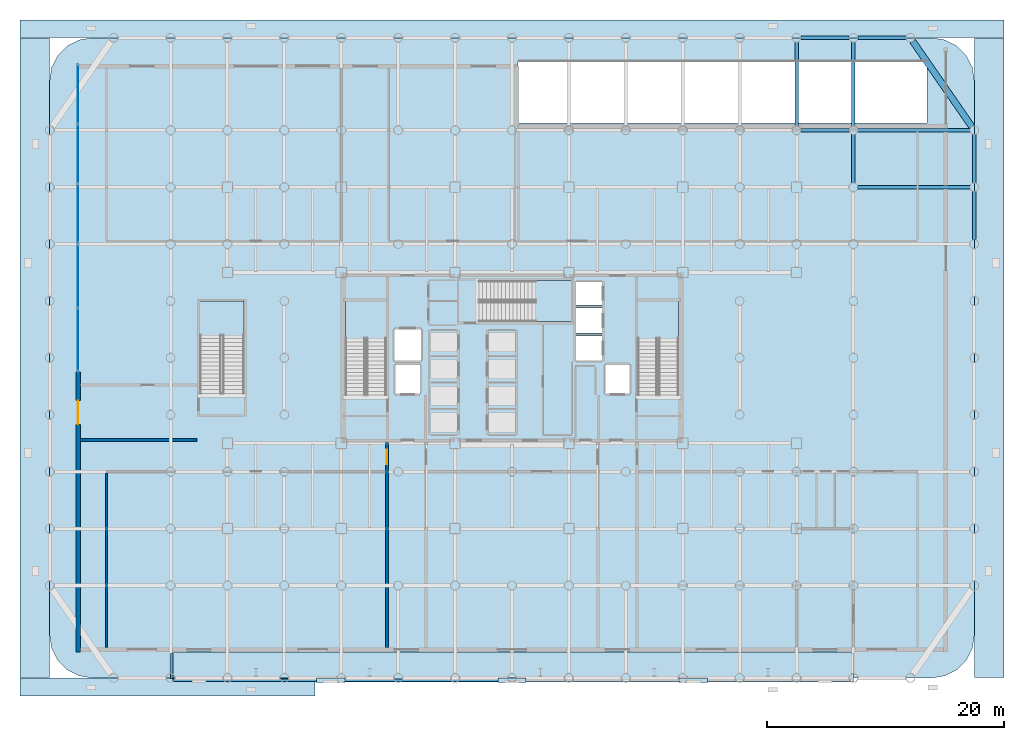
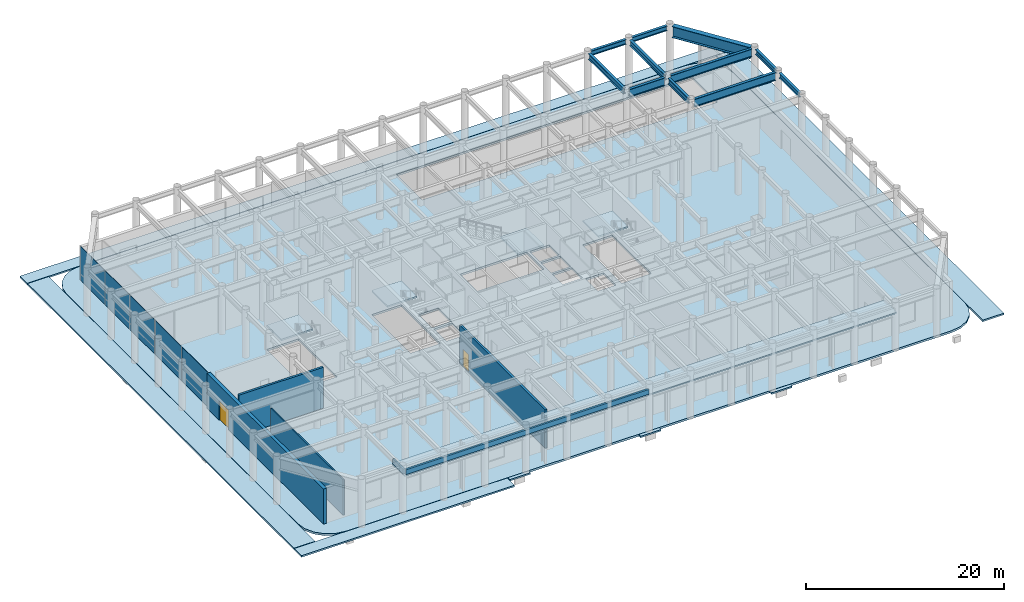
# One storey, part 14 of 23: 13 slabs, 11 beams, 6 walls, 5 plates, 2 doors, 2 openings, 6 elements without a shape of their own.
"""IFC4 building model written with IfcOpenShell, lengths in metres."""

from ifc_helpers import new_model, si_unit, direction, frame, frame_2d, origin, origin_2d, place, context, subcontext, project, spatial, polyline, rectangle, i_section, outline, extrude, material, layer, layer_set, material_profile, profile_set, type_object, element, fill, aggregate, save


model = new_model("IFC4")

# Units and contexts
model_context = context("Model", 3, precision=1e-05, world=origin(), true_north=direction((0.0, 1.0)))
body_context = subcontext(model_context, "Body", "Model", "MODEL_VIEW")
ifc_project = project(units=[si_unit("LENGTHUNIT", "METRE"), si_unit("AREAUNIT", "SQUARE_METRE"), si_unit("VOLUMEUNIT", "CUBIC_METRE"), si_unit("PLANEANGLEUNIT", "RADIAN"), si_unit("MASSUNIT", "GRAM", prefix="KILO")], contexts=[model_context])

# Site, building, storey
site_placement = place(None, origin())
site = spatial("IfcSite", under=ifc_project, at=site_placement, CompositionType="ELEMENT")
building_placement = place(site_placement, origin())
building = spatial("IfcBuilding", under=site, at=building_placement, Name="Kallvorn Hotel Tower", CompositionType="ELEMENT")
storey_placement = place(building_placement, origin())
storey = spatial("IfcBuildingStorey", under=building, at=storey_placement, Name="L00", CompositionType="ELEMENT", Elevation=0.0)

# Beams
ifc_material_1 = material(Name="Structural steel S355JR", Category="steel")
ifc_material_profile_1 = material_profile(ifc_material_1, i_section(OverallWidth=0.300048828125, OverallDepth=1.0, WebThickness=0.01904296875, FlangeThickness=0.035888671875, at=origin_2d()), Name="HE 1000 B")
ifc_profile_set_1 = profile_set([ifc_material_profile_1], Name="Structural steel S355JR")
beam_type_1 = type_object("IfcBeamType", Name="BM_HE1000B", PredefinedType="BEAM", material=ifc_profile_set_1)
beam_1_placement = place(storey_placement, frame((29.156005859375, 14.39990234375, 5.25), z_axis=(1.0, 0.0, 0.0), x_axis=(0.0, 1.0, 0.0)))
element("IfcBeam", 1, at=beam_1_placement, inside=storey, type_object=beam_type_1, Name="L01 Primary X-Girder 65", PredefinedType="BEAM", context=body_context, shape_type="SweptSolid", body=[
    extrude(i_section(OverallWidth=0.300048828125, OverallDepth=1.0, WebThickness=0.01904296875, FlangeThickness=0.035888671875, at=origin_2d()), origin(), (0.0, 0.0, 1.0), 9.488037109375),
])
beam_2_placement = place(storey_placement, frame((24.35595703125, 19.199951171875, 5.25), z_axis=(1.0, 0.0, 0.0), x_axis=(0.0, 1.0, 0.0)))
element("IfcBeam", 2, at=beam_2_placement, inside=storey, type_object=beam_type_1, Name="L01 Primary X-Girder 78", PredefinedType="BEAM", context=body_context, shape_type="SweptSolid", body=[
    extrude(i_section(OverallWidth=0.300048828125, OverallDepth=1.0, WebThickness=0.01904296875, FlangeThickness=0.035888671875, at=origin_2d()), origin(), (0.0, 0.0, 1.0), 4.088134765625),
])
beam_3_placement = place(storey_placement, frame((29.156005859375, 19.199951171875, 5.25), z_axis=(1.0, 0.0, 0.0), x_axis=(0.0, 1.0, 0.0)))
element("IfcBeam", 3, at=beam_3_placement, inside=storey, type_object=beam_type_1, Name="L01 Primary X-Girder 79", PredefinedType="BEAM", context=body_context, shape_type="SweptSolid", body=[
    extrude(i_section(OverallWidth=0.300048828125, OverallDepth=1.0, WebThickness=0.01904296875, FlangeThickness=0.035888671875, at=origin_2d()), origin(), (0.0, 0.0, 1.0), 9.488037109375),
])
ifc_material_2 = material(Name="Structural steel S355JR", Category="steel")
ifc_material_profile_2 = material_profile(ifc_material_2, i_section(OverallWidth=0.300048828125, OverallDepth=0.60009765625, WebThickness=0.015380859375, FlangeThickness=0.030029296875, at=origin_2d()), Name="HE 600 B")
ifc_profile_set_2 = profile_set([ifc_material_profile_2], Name="Structural steel S355JR")
beam_type_2 = type_object("IfcBeamType", Name="BM_HE600B", PredefinedType="SPANDREL", material=ifc_profile_set_2)
beam_4_placement = place(storey_placement, frame((24.37109375, 27.0, 5.449951171875), z_axis=(1.0, 0.0, 0.0), x_axis=(0.0, 1.0, 0.0)))
element("IfcBeam", 4, at=beam_4_placement, inside=storey, type_object=beam_type_2, Name="L01 Perimeter Spandrel 198", PredefinedType="SPANDREL", context=body_context, shape_type="SweptSolid", body=[
    extrude(i_section(OverallWidth=0.300048828125, OverallDepth=0.60009765625, WebThickness=0.015380859375, FlangeThickness=0.030029296875, at=origin_2d()), origin(), (0.0, 0.0, 1.0), 4.057861328125),
])
for number, where, z_axis, x_axis, name in (
    (5, (29.1708984375, 27.0, 5.449951171875), (1.0, 0.0, 0.0), (0.0, 1.0, 0.0), "L01 Perimeter Spandrel 199"),
    (6, (39.0, 9.970947265625, 5.449951171875), (0.0, 1.0, 0.0), (-1.0, 0.0, 0.0), "L01 Perimeter Spandrel 214"),
    (7, (39.0, 14.77099609375, 5.449951171875), (0.0, 1.0, 0.0), (-1.0, 0.0, 0.0), "L01 Perimeter Spandrel 215"),
):
    element("IfcBeam", number, at=place(storey_placement, frame(where, z_axis=z_axis, x_axis=x_axis)), inside=storey, type_object=beam_type_2, Name=name, PredefinedType="SPANDREL", context=body_context, shape_type="SweptSolid", body=[
        extrude(i_section(OverallWidth=0.300048828125, OverallDepth=0.60009765625, WebThickness=0.015380859375, FlangeThickness=0.030029296875, at=origin_2d()), origin(), (0.0, 0.0, 1.0), 4.05810546875),
    ])
ifc_material_3 = material(Name="Structural steel S355JR", Category="steel")
ifc_material_profile_3 = material_profile(ifc_material_3, i_section(OverallWidth=0.300048828125, OverallDepth=0.699951171875, WebThickness=0.01708984375, FlangeThickness=0.031982421875, at=origin_2d()), Name="HE 700 B")
ifc_profile_set_3 = profile_set([ifc_material_profile_3], Name="Structural steel S355JR")
beam_type_3 = type_object("IfcBeamType", Name="BM_HE700B", PredefinedType="BEAM", material=ifc_profile_set_3)
beam_5_placement = place(storey_placement, frame((24.0, 19.555908203125, 5.39990234375), z_axis=(0.0, 1.0, 0.0), x_axis=(-1.0, 0.0, 0.0)))
element("IfcBeam", 8, at=beam_5_placement, inside=storey, type_object=beam_type_3, Name="L01 Primary Y-Girder 161", PredefinedType="BEAM", context=body_context, shape_type="SweptSolid", body=[
    extrude(i_section(OverallWidth=0.300048828125, OverallDepth=0.699951171875, WebThickness=0.01708984375, FlangeThickness=0.031982421875, at=origin_2d()), origin(), (0.0, 0.0, 1.0), 7.088134765625),
])
beam_6_placement = place(storey_placement, frame((28.800048828125, 14.756103515625, 5.39990234375), z_axis=(0.0, 1.0, 0.0), x_axis=(-1.0, 0.0, 0.0)))
element("IfcBeam", 9, at=beam_6_placement, inside=storey, type_object=beam_type_3, Name="L01 Primary Y-Girder 170", PredefinedType="BEAM", context=body_context, shape_type="SweptSolid", body=[
    extrude(i_section(OverallWidth=0.300048828125, OverallDepth=0.699951171875, WebThickness=0.01708984375, FlangeThickness=0.031982421875, at=origin_2d()), origin(), (0.0, 0.0, 1.0), 4.087890625),
])
beam_7_placement = place(storey_placement, frame((28.800048828125, 19.555908203125, 5.39990234375), z_axis=(0.0, 1.0, 0.0), x_axis=(-1.0, 0.0, 0.0)))
element("IfcBeam", 10, at=beam_7_placement, inside=storey, type_object=beam_type_3, Name="L01 Primary Y-Girder 171", PredefinedType="BEAM", context=body_context, shape_type="SweptSolid", body=[
    extrude(i_section(OverallWidth=0.300048828125, OverallDepth=0.699951171875, WebThickness=0.01708984375, FlangeThickness=0.031982421875, at=origin_2d()), origin(), (0.0, 0.0, 1.0), 7.088134765625),
])
ifc_material_4 = material(Name="Structural steel S355JR", Category="steel")
ifc_material_profile_4 = material_profile(ifc_material_4, i_section(OverallWidth=0.550048828125, OverallDepth=1.39990234375, WebThickness=0.02490234375, FlangeThickness=0.044921875, at=origin_2d()), Name="PG 1400x550x25x45")
ifc_profile_set_4 = profile_set([ifc_material_profile_4], Name="Structural steel S355JR")
beam_type_4 = type_object("IfcBeamType", Name="BM_PG_1400", PredefinedType="BEAM", material=ifc_profile_set_4)
beam_8_placement = place(storey_placement, frame((38.788818359375, 19.5048828125, 5.050048828125), z_axis=(-0.569188202743, 0.82220726697, 0.0), x_axis=(-0.82220726697, -0.569188202743, 0.0)))
element("IfcBeam", 11, at=beam_8_placement, inside=storey, type_object=beam_type_4, Name="L01 Rounded Corner Tie Beam 219", PredefinedType="BEAM", context=body_context, shape_type="SweptSolid", body=[
    extrude(i_section(OverallWidth=0.550048828125, OverallDepth=1.39990234375, WebThickness=0.02490234375, FlangeThickness=0.044921875, at=origin_2d()), origin(), (0.0, 0.0, 1.0), 8.744873046875),
])

# Curtain wall, plates
ifc_material_5 = material(Name="Thermally broken black-anodised aluminium AA 6063-T6", Category="aluminium")
ifc_layer_1 = layer(ifc_material_5, 0.239990234375)
ifc_layer_set_1 = layer_set([ifc_layer_1], Name="CW_SYS_1_PODIUM_LOW")
curtain_wall_type = type_object("IfcCurtainWallType", Name="CW_SYS_1_PODIUM_LOW", PredefinedType="USERDEFINED", material=ifc_layer_set_1)
curtain_wall_1_placement = place(storey_placement, origin())
curtain_wall_1 = element("IfcCurtainWall", 12, at=curtain_wall_1_placement, inside=storey, type_object=curtain_wall_type, Name="L00 Dark-Glass Curtain Wall CW-L00-W1", ObjectType="UNITISED CURTAIN WALL", PredefinedType="USERDEFINED")
ifc_material_6 = material(Name="Double-glazed low-e solar-control dark glass", Category="glass")
ifc_layer_2 = layer(ifc_material_6, 0.043212890625)
ifc_layer_set_2 = layer_set([ifc_layer_2], Name="CW_SYS_1_PODIUM_LOW_PANEL")
plate_type = type_object("IfcPlateType", Name="CW_SYS_1_PODIUM_LOW_PANEL", PredefinedType="CURTAIN_PANEL", material=ifc_layer_set_2)
plate_1_placement = place(storey_placement, frame((-36.60009765625, 1.530029296875, 0.06005859375), z_axis=(0.0, 0.0, 1.0), x_axis=(0.0, 1.0, 0.0)))
plate_1 = element("IfcPlate", 13, at=plate_1_placement, type_object=plate_type, Name="CW-L00-W1 Vision Glass Panel 00", PredefinedType="CURTAIN_PANEL", context=body_context, shape_type="SweptSolid", body=[
    extrude(rectangle(XDim=5.320068359375, YDim=0.043212890625, at=origin_2d()), origin(), (0.0, 0.0, 1.0), 4.22998046875),
])
plate_2_placement = place(storey_placement, frame((-36.60009765625, 6.909912109375, 0.06005859375), z_axis=(0.0, 0.0, 1.0), x_axis=(0.0, 1.0, 0.0)))
plate_2 = element("IfcPlate", 14, at=plate_2_placement, type_object=plate_type, Name="CW-L00-W1 Vision Glass Panel 01", PredefinedType="CURTAIN_PANEL", context=body_context, shape_type="SweptSolid", body=[
    extrude(rectangle(XDim=5.320068359375, YDim=0.043212890625, at=origin_2d()), origin(), (0.0, 0.0, 1.0), 4.22998046875),
])
aggregate(curtain_wall_1, [plate_1, plate_2])

curtain_wall_2_placement = place(storey_placement, origin())
curtain_wall_2 = element("IfcCurtainWall", 15, at=curtain_wall_2_placement, inside=storey, type_object=curtain_wall_type, Name="L00 Dark-Glass Curtain Wall CW-L00-W2", ObjectType="UNITISED CURTAIN WALL", PredefinedType="USERDEFINED")
plate_3_placement = place(storey_placement, frame((-36.60009765625, 12.1650390625, 0.06005859375), z_axis=(0.0, 0.0, 1.0), x_axis=(0.0, 1.0, 0.0)))
plate_3 = element("IfcPlate", 16, at=plate_3_placement, type_object=plate_type, Name="CW-L00-W2 Vision Glass Panel 00", PredefinedType="CURTAIN_PANEL", context=body_context, shape_type="SweptSolid", body=[
    extrude(rectangle(XDim=4.989990234375, YDim=0.043212890625, at=origin_2d()), origin(), (0.0, 0.0, 1.0), 4.22998046875),
])
plate_4_placement = place(storey_placement, frame((-36.60009765625, 17.215087890625, 0.06005859375), z_axis=(0.0, 0.0, 1.0), x_axis=(0.0, 1.0, 0.0)))
plate_4 = element("IfcPlate", 17, at=plate_4_placement, type_object=plate_type, Name="CW-L00-W2 Vision Glass Panel 01", PredefinedType="CURTAIN_PANEL", context=body_context, shape_type="SweptSolid", body=[
    extrude(rectangle(XDim=4.989990234375, YDim=0.043212890625, at=origin_2d()), origin(), (0.0, 0.0, 1.0), 4.22998046875),
])
plate_5_placement = place(storey_placement, frame((-36.60009765625, 22.264892578125, 0.06005859375), z_axis=(0.0, 0.0, 1.0), x_axis=(0.0, 1.0, 0.0)))
plate_5 = element("IfcPlate", 18, at=plate_5_placement, type_object=plate_type, Name="CW-L00-W2 Vision Glass Panel 02", PredefinedType="CURTAIN_PANEL", context=body_context, shape_type="SweptSolid", body=[
    extrude(rectangle(XDim=4.989990234375, YDim=0.043212890625, at=origin_2d()), origin(), (0.0, 0.0, 1.0), 4.22998046875),
])
aggregate(curtain_wall_2, [plate_3, plate_4, plate_5])

# Stair, slab
ifc_material_7 = material(Name="Precast concrete C40/50", Category="concrete")
stair_type_1 = type_object("IfcStairType", Name="STR_CORE_DOGLEG", PredefinedType="HALF_TURN_STAIR", material=ifc_material_7)
stair_1_placement = place(storey_placement, origin())
stair_1 = element("IfcStair", 19, at=stair_1_placement, inside=storey, type_object=stair_type_1, Name="L00 Exit stair ST1", PredefinedType="HALF_TURN_STAIR")
ifc_material_8 = material(Name="Precast concrete C40/50", Category="concrete")
ifc_layer_3 = layer(ifc_material_8, 0.179931640625)
ifc_layer_set_3 = layer_set([ifc_layer_3], Name="SLB_LANDING_180")
slab_type_1 = type_object("IfcSlabType", Name="SLB_LANDING_180", PredefinedType="LANDING", material=ifc_layer_set_3)
slab_1_placement = place(storey_placement, frame((0.0, 0.0, 2.800048828125)))
slab_1 = element("IfcSlab", 20, at=slab_1_placement, type_object=slab_type_1, Name="ST1 landing 1", PredefinedType="LANDING", context=body_context, shape_type="SweptSolid", body=[
    extrude(outline(polyline([(-10.60009765625, 1.610107421875), (-10.60009765625, 4.800048828125), (-14.06005859375, 4.800048828125), (-14.06005859375, 1.610107421875), (-10.60009765625, 1.610107421875)])), origin(), (0.0, 0.0, 1.0), 0.199951171875),
])
aggregate(stair_1, [slab_1])

stair_2_placement = place(storey_placement, origin())
stair_2 = element("IfcStair", 21, at=stair_2_placement, inside=storey, type_object=stair_type_1, Name="L00 Exit stair ST2", PredefinedType="HALF_TURN_STAIR")
slab_2_placement = place(storey_placement, frame((0.0, 0.0, 2.800048828125)))
slab_2 = element("IfcSlab", 22, at=slab_2_placement, type_object=slab_type_1, Name="ST2 landing 1", PredefinedType="LANDING", context=body_context, shape_type="SweptSolid", body=[
    extrude(outline(polyline([(14.06005859375, 1.610107421875), (14.06005859375, 4.800048828125), (10.60009765625, 4.800048828125), (10.60009765625, 1.610107421875), (14.06005859375, 1.610107421875)])), origin(), (0.0, 0.0, 1.0), 0.199951171875),
])
aggregate(stair_2, [slab_2])

stair_3_placement = place(storey_placement, origin())
stair_3 = element("IfcStair", 23, at=stair_3_placement, inside=storey, type_object=stair_type_1, Name="L00 Exit stair ST3", PredefinedType="HALF_TURN_STAIR")
slab_3_placement = place(storey_placement, frame((0.0, 0.0, 2.800048828125)))
slab_3 = element("IfcSlab", 24, at=slab_3_placement, type_object=slab_type_1, Name="ST3 landing 1", PredefinedType="LANDING", context=body_context, shape_type="SweptSolid", body=[
    extrude(outline(polyline([(1.9599609375, 3.050048828125), (5.050048828125, 3.050048828125), (5.050048828125, 6.510009765625), (1.9599609375, 6.510009765625), (1.9599609375, 3.050048828125)])), origin(), (0.0, 0.0, 1.0), 0.199951171875),
])
aggregate(stair_3, [slab_3])

ifc_material_9 = material(Name="Precast concrete C40/50", Category="concrete")
stair_type_2 = type_object("IfcStairType", Name="STR_POD_DOGLEG", PredefinedType="HALF_TURN_STAIR", material=ifc_material_9)
stair_4_placement = place(storey_placement, origin())
stair_4 = element("IfcStair", 25, at=stair_4_placement, inside=storey, type_object=stair_type_2, Name="L00 Exit stair ST4", PredefinedType="HALF_TURN_STAIR")
slab_4_placement = place(storey_placement, frame((0.0, 0.0, 2.800048828125)))
slab_4 = element("IfcSlab", 26, at=slab_4_placement, type_object=slab_type_1, Name="ST4 landing 1", PredefinedType="LANDING", context=body_context, shape_type="SweptSolid", body=[
    extrude(outline(polyline([(-22.60009765625, 1.89990234375), (-22.60009765625, 4.800048828125), (-26.340087890625, 4.800048828125), (-26.340087890625, 1.89990234375), (-22.60009765625, 1.89990234375)])), origin(), (0.0, 0.0, 1.0), 0.199951171875),
])
aggregate(stair_4, [slab_4])

# Slabs
ifc_material_10 = material(Name="Basalt granite paving stone", Category="masonry")
ifc_layer_4 = layer(ifc_material_10, 0.199951171875)
ifc_layer_set_4 = layer_set([ifc_layer_4], Name="SLB_PLAZA_200")
slab_type_2 = type_object("IfcSlabType", Name="SLB_PLAZA_200", PredefinedType="USERDEFINED", material=ifc_layer_set_4)
slab_5_placement = place(storey_placement, frame((0.0, 0.0, -0.199951171875)))
element("IfcSlab", 27, at=slab_5_placement, inside=storey, type_object=slab_type_2, Name="Public Garden Plaza Paving PLAZA-S", ObjectType="PAVING", PredefinedType="USERDEFINED", context=body_context, shape_type="SweptSolid", body=[
    extrude(outline(polyline([(-41.5, -28.5), (-16.60009765625, -28.5), (-16.60009765625, -27.02001953125), (-41.5, -27.02001953125), (-41.5, -28.5)])), origin(), (0.0, 0.0, 1.0), 0.199951171875),
])
slab_6_placement = place(storey_placement, frame((0.0, 0.0, -0.199951171875)))
element("IfcSlab", 28, at=slab_6_placement, inside=storey, type_object=slab_type_2, Name="Public Garden Plaza Paving PLAZA-N", ObjectType="PAVING", PredefinedType="USERDEFINED", context=body_context, shape_type="SweptSolid", body=[
    extrude(outline(polyline([(-41.5, 27.02001953125), (41.5, 27.02001953125), (41.5, 28.5), (-41.5, 28.5), (-41.5, 27.02001953125)])), origin(), (0.0, 0.0, 1.0), 0.199951171875),
])
slab_7_placement = place(storey_placement, frame((0.0, 0.0, -0.199951171875)))
element("IfcSlab", 29, at=slab_7_placement, inside=storey, type_object=slab_type_2, Name="Public Garden Plaza Paving PLAZA-W", ObjectType="PAVING", PredefinedType="USERDEFINED", context=body_context, shape_type="SweptSolid", body=[
    extrude(outline(polyline([(-41.5, -26.97998046875), (-39.02001953125, -26.97998046875), (-39.02001953125, 26.97998046875), (-41.5, 26.97998046875), (-41.5, -26.97998046875)])), origin(), (0.0, 0.0, 1.0), 0.199951171875),
])
slab_8_placement = place(storey_placement, frame((0.0, 0.0, -0.199951171875)))
element("IfcSlab", 30, at=slab_8_placement, inside=storey, type_object=slab_type_2, Name="Public Garden Plaza Paving PLAZA-E", ObjectType="PAVING", PredefinedType="USERDEFINED", context=body_context, shape_type="SweptSolid", body=[
    extrude(outline(polyline([(39.02001953125, -26.97998046875), (41.5, -26.97998046875), (41.5, 26.97998046875), (39.02001953125, 26.97998046875), (39.02001953125, -26.97998046875)])), origin(), (0.0, 0.0, 1.0), 0.199951171875),
])
for number, where, z_axis, x_axis, name in (
    (31, (-16.5, -27.3798828125, -0.02490234375), (0.0, -0.067174657184, 0.997741231699), (1.0, 0.0, 0.0), "Plaza Accessible Threshold Apron 1"),
    (32, (-1.199951171875, -27.3798828125, -0.02490234375), (0.0, -0.067174657184, 0.997741231699), (1.0, 0.0, 0.0), "Plaza Accessible Threshold Apron 2"),
    (33, (14.10009765625, -27.3798828125, -0.02490234375), (0.0, -0.067174657184, 0.997741231699), (1.0, 0.0, 0.0), "Plaza Accessible Threshold Apron 3"),
):
    element("IfcSlab", number, at=place(storey_placement, frame(where, z_axis=z_axis, x_axis=x_axis)), inside=storey, type_object=slab_type_2, Name=name, ObjectType="PAVING", PredefinedType="USERDEFINED", context=body_context, shape_type="SweptSolid", body=[
        extrude(outline(polyline([(0.0, 0.0), (2.39990234375, 0.0), (2.39990234375, 0.3707103957658041), (0.0, 0.3707103957658041), (0.0, 0.0)])), origin(), (0.0, 0.0, -1.0), 0.199951171875),
    ])
ifc_material_11 = material(Name="Concrete C40/50", Category="concrete")
ifc_layer_5 = layer(ifc_material_11, 0.25)
ifc_layer_set_5 = layer_set([ifc_layer_5], Name="SLB_PODIUM_250")
slab_type_3 = type_object("IfcSlabType", Name="SLB_PODIUM_250", PredefinedType="FLOOR", material=ifc_layer_set_5)
slab_9_placement = place(storey_placement, frame((0.0, 0.0, -0.25)))
element("IfcSlab", 34, at=slab_9_placement, inside=storey, type_object=slab_type_3, Name="L00 Structural Floor Slab", PredefinedType="FLOOR", context=body_context, shape_type="SweptSolid", body=[
    extrude(outline(polyline([(35.39990234375, -27.0), (36.512451171875, -26.82373046875), (37.51611328125, -26.3125), (38.3125, -25.51611328125), (38.82373046875, -24.512451171875), (39.0, -23.39990234375), (39.0, 23.39990234375), (38.82373046875, 24.512451171875), (38.3125, 25.51611328125), (37.51611328125, 26.3125), (36.512451171875, 26.82373046875), (35.39990234375, 27.0), (-35.39990234375, 27.0), (-36.512451171875, 26.82373046875), (-37.51611328125, 26.3125), (-38.3125, 25.51611328125), (-38.82373046875, 24.512451171875), (-39.0, 23.39990234375), (-39.0, -23.39990234375), (-38.82373046875, -24.512451171875), (-38.3125, -25.51611328125), (-37.51611328125, -26.3125), (-36.512451171875, -26.82373046875), (-35.39990234375, -27.0), (35.39990234375, -27.0)]), holes=[polyline([(-10.60009765625, -3.070068359375), (-10.60009765625, 4.800048828125), (-14.06005859375, 4.800048828125), (-14.06005859375, -3.070068359375), (-10.60009765625, -3.070068359375)]), polyline([(14.06005859375, -3.070068359375), (14.06005859375, 4.800048828125), (10.60009765625, 4.800048828125), (10.60009765625, -3.070068359375), (14.06005859375, -3.070068359375)]), polyline([(-2.719970703125, 3.050048828125), (5.050048828125, 3.050048828125), (5.050048828125, 6.510009765625), (-2.719970703125, 6.510009765625), (-2.719970703125, 3.050048828125)]), polyline([(-22.60009765625, -2.929931640625), (-22.60009765625, 4.800048828125), (-26.340087890625, 4.800048828125), (-26.340087890625, -2.929931640625), (-22.60009765625, -2.929931640625)]), polyline([(5.35009765625, -0.25), (7.64990234375, -0.25), (7.64990234375, 1.85009765625), (5.35009765625, 1.85009765625), (5.35009765625, -0.25)]), polyline([(5.35009765625, 2.10009765625), (7.64990234375, 2.10009765625), (7.64990234375, 4.199951171875), (5.35009765625, 4.199951171875), (5.35009765625, 2.10009765625)]), polyline([(5.35009765625, 4.449951171875), (7.64990234375, 4.449951171875), (7.64990234375, 6.449951171875), (5.35009765625, 6.449951171875), (5.35009765625, 4.449951171875)]), polyline([(-9.85009765625, -3.050048828125), (-7.75, -3.050048828125), (-7.75, -0.550048828125), (-9.85009765625, -0.550048828125), (-9.85009765625, -3.050048828125)]), polyline([(7.85009765625, -3.050048828125), (9.949951171875, -3.050048828125), (9.949951171875, -0.550048828125), (7.85009765625, -0.550048828125), (7.85009765625, -3.050048828125)]), polyline([(-9.949951171875, -0.25), (-7.64990234375, -0.25), (-7.64990234375, 2.449951171875), (-9.949951171875, 2.449951171875), (-9.949951171875, -0.25)]), polyline([(0.5, 19.800048828125), (35.0, 19.800048828125), (35.0, 25.0), (0.5, 25.0), (0.5, 19.800048828125)])]), origin(), (0.0, 0.0, 1.0), 0.25),
])
ifc_material_12 = material(Name="Concrete C40/50", Category="concrete")
ifc_layer_6 = layer(ifc_material_12, 0.179931640625)
ifc_layer_set_6 = layer_set([ifc_layer_6], Name="SLB_TERRACE_180")
slab_type_4 = type_object("IfcSlabType", Name="SLB_TERRACE_180", PredefinedType="ROOF", material=ifc_layer_set_6)
slab_10_placement = place(storey_placement, frame((0.0, 0.0, 4.60009765625)))
element("IfcSlab", 35, at=slab_10_placement, inside=storey, type_object=slab_type_4, Name="L00 South Porte-Cochere Entrance Canopy", PredefinedType="ROOF", context=body_context, shape_type="SweptSolid", body=[
    extrude(outline(polyline([(-28.800048828125, -27.320068359375), (28.800048828125, -27.320068359375), (28.800048828125, -24.800048828125), (-28.800048828125, -24.800048828125), (-28.800048828125, -27.320068359375)])), origin(), (0.0, 0.0, 1.0), 0.179931640625),
])

# Wall, opening, door
ifc_material_13 = material(Name="Precast basalt-clad insulated concrete wall C40/50", Category="masonry")
ifc_layer_7 = layer(ifc_material_13, 0.3798828125)
ifc_layer_set_7 = layer_set([ifc_layer_7], Name="WL_EXT_PODIUM_380")
wall_type_1 = type_object("IfcWallType", Name="WL_EXT_PODIUM_380", PredefinedType="SOLIDWALL", material=ifc_layer_set_7)
wall_1_placement = place(storey_placement, frame((-36.60009765625, -24.7900390625, 0.0), z_axis=(0.0, 0.0, 1.0), x_axis=(0.0, 1.0, 0.0)))
wall_1 = element("IfcWall", 36, at=wall_1_placement, inside=storey, type_object=wall_type_1, Name="L00 West Colonnade Street Wall", PredefinedType="SOLIDWALL", context=body_context, shape_type="SweptSolid", body=[
    extrude(rectangle(XDim=23.590087890625, YDim=0.3798828125, at=frame_2d((11.794921875, 0.0))), origin(), (0.0, 0.0, 1.0), 4.35009765625),
])
opening_1_placement = place(wall_1_placement, frame((19.18994140625, 0.0, 0.0)))
opening_1 = element("IfcOpeningElement", 37, at=opening_1_placement, cuts=wall_1, Name="Opening ED09", PredefinedType="OPENING", context=body_context, shape_type="SweptSolid", body=[
    extrude(rectangle(XDim=2.0, YDim=2.39990234375, at=frame_2d((1.0, 1.199951171875))), frame((0.0, 0.204833984375, 0.0), z_axis=(0.0, -1.0, 0.0), x_axis=(1.0, 0.0, 0.0)), (0.0, 0.0, 1.0), 0.409912109375),
])
ifc_material_14 = material(Name="Thermally broken black-anodised aluminium AA 6063-T6", Category="aluminium")
door_type_1 = type_object("IfcDoorType", Name="DR_EXIT_DBL_2000x2400", OperationType="DOUBLE_DOOR_SINGLE_SWING", PredefinedType="DOOR", material=ifc_material_14)
door_1_placement = place(opening_1_placement, origin())
door_1 = element("IfcDoor", 38, at=door_1_placement, inside=storey, type_object=door_type_1, Name="West Stair Discharge Exit Door ED09", OperationType="DOUBLE_DOOR_SINGLE_SWING", OverallHeight=2.39990234375, OverallWidth=2.0, PredefinedType="DOOR", context=body_context, shape_type="SweptSolid", body=[
    extrude(rectangle(XDim=2.0, YDim=2.39990234375, at=frame_2d((1.0, 1.199951171875))), frame((0.0, 0.02490234375, 0.0), z_axis=(0.0, -1.0, 0.0), x_axis=(1.0, 0.0, 0.0)), (0.0, 0.0, 1.0), 0.050048828125),
])
fill(opening_1, door_1)

# Walls
ifc_material_15 = material(Name="Concrete C40/50", Category="concrete")
ifc_layer_8 = layer(ifc_material_15, 0.219970703125)
ifc_layer_set_8 = layer_set([ifc_layer_8], Name="WL_PARAPET_220")
wall_type_2 = type_object("IfcWallType", Name="WL_PARAPET_220", PredefinedType="PARAPET", material=ifc_layer_set_8)
wall_2_placement = place(storey_placement, frame((-28.60009765625, -27.199951171875, 4.780029296875), z_axis=(0.0, 0.0, 1.0), x_axis=(1.0, 0.0, 0.0)))
element("IfcWall", 39, at=wall_2_placement, inside=storey, type_object=wall_type_2, Name="L00 Porte-Cochere Canopy Fascia Parapet 1", PredefinedType="PARAPET", context=body_context, shape_type="SweptSolid", body=[
    extrude(rectangle(XDim=28.400146484375, YDim=0.219970703125, at=frame_2d((14.2001953125, 0.0))), origin(), (0.0, 0.0, 1.0), 0.599853515625),
])
wall_3_placement = place(storey_placement, frame((-28.68994140625, -27.050048828125, 4.780029296875), z_axis=(0.0, 0.0, 1.0), x_axis=(0.0, 1.0, 0.0)))
element("IfcWall", 40, at=wall_3_placement, inside=storey, type_object=wall_type_2, Name="L00 Porte-Cochere Canopy Fascia Parapet 3", PredefinedType="PARAPET", context=body_context, shape_type="SweptSolid", body=[
    extrude(rectangle(XDim=2.10009765625, YDim=0.219970703125, at=frame_2d((1.050048828125, 0.0))), origin(), (0.0, 0.0, 1.0), 0.599853515625),
])
ifc_material_16 = material(Name="Fire-rated double-layer acoustic gypsum drywall EI 60")
ifc_layer_9 = layer(ifc_material_16, 0.14990234375)
ifc_layer_set_9 = layer_set([ifc_layer_9], Name="WL_PART_150")
wall_type_3 = type_object("IfcWallType", Name="WL_PART_150", PredefinedType="PARTITIONING", material=ifc_layer_set_9)
wall_4_placement = place(storey_placement, frame((-34.199951171875, -24.39990234375, 0.0), z_axis=(0.0, 0.0, 1.0), x_axis=(0.0, 1.0, 0.0)))
element("IfcWall", 41, at=wall_4_placement, inside=storey, type_object=wall_type_3, Name="L00 Andean Street Bistro and Espresso Bar Partition", PredefinedType="PARTITIONING", context=body_context, shape_type="SweptSolid", body=[
    extrude(rectangle(XDim=14.64990234375, YDim=0.14990234375, at=frame_2d((7.324951171875, 0.0))), origin(), (0.0, 0.0, 1.0), 4.35009765625),
])
ifc_material_17 = material(Name="Concrete C40/50", Category="concrete")
ifc_layer_10 = layer(ifc_material_17, 0.25)
ifc_layer_set_10 = layer_set([ifc_layer_10], Name="WL_SHAFT_250")
wall_type_4 = type_object("IfcWallType", Name="WL_SHAFT_250", PredefinedType="SOLIDWALL", material=ifc_layer_set_10)
wall_5_placement = place(storey_placement, frame((-36.409912109375, -6.919921875, 0.0), z_axis=(0.0, 0.0, 1.0), x_axis=(1.0, 0.0, 0.0)))
element("IfcWall", 42, at=wall_5_placement, inside=storey, type_object=wall_type_4, Name="L00 West Protected Exit Passageway South Wall", PredefinedType="SOLIDWALL", context=body_context, shape_type="SweptSolid", body=[
    extrude(rectangle(XDim=9.849853515625, YDim=0.25, at=frame_2d((4.9248046875, 0.0))), origin(), (0.0, 0.0, 1.0), 5.050048828125),
])

# Wall, opening, door
wall_6_placement = place(storey_placement, frame((-10.550048828125, -24.409912109375, 0.0), z_axis=(0.0, 0.0, 1.0), x_axis=(0.0, 1.0, 0.0)))
wall_6 = element("IfcWall", 43, at=wall_6_placement, inside=storey, type_object=wall_type_4, Name="L00 South-West Protected Exit Passageway West Wall", PredefinedType="SOLIDWALL", context=body_context, shape_type="SweptSolid", body=[
    extrude(rectangle(XDim=17.289794921875, YDim=0.25, at=frame_2d((8.64501953125, 0.0))), origin(), (0.0, 0.0, 1.0), 4.75),
])
opening_2_placement = place(wall_6_placement, frame((15.449951171875, 0.0, 0.0)))
opening_2 = element("IfcOpeningElement", 44, at=opening_2_placement, cuts=wall_6, Name="Opening FD2", PredefinedType="OPENING", context=body_context, shape_type="SweptSolid", body=[
    extrude(rectangle(XDim=1.199951171875, YDim=2.199951171875, at=frame_2d((0.60009765625, 1.10009765625))), frame((0.0, 0.139892578125, 0.0), z_axis=(0.0, -1.0, 0.0), x_axis=(1.0, 0.0, 0.0)), (0.0, 0.0, 1.0), 0.280029296875),
])
ifc_material_18 = material(Name="Galvanised painted steel fire-rated door assembly", Category="steel")
door_type_2 = type_object("IfcDoorType", Name="DR_LOBBY_1200x2200", OperationType="DOUBLE_DOOR_SINGLE_SWING", PredefinedType="DOOR", material=ifc_material_18)
door_2_placement = place(opening_2_placement, origin())
door_2 = element("IfcDoor", 45, at=door_2_placement, inside=storey, type_object=door_type_2, Name="L00 South-West Concourse Fire Exit Door", OperationType="DOUBLE_DOOR_SINGLE_SWING", OverallHeight=2.199951171875, OverallWidth=1.199951171875, PredefinedType="DOOR", context=body_context, shape_type="SweptSolid", body=[
    extrude(rectangle(XDim=1.199951171875, YDim=2.199951171875, at=frame_2d((0.60009765625, 1.10009765625))), frame((0.0, 0.02490234375, 0.0), z_axis=(0.0, -1.0, 0.0), x_axis=(1.0, 0.0, 0.0)), (0.0, 0.0, 1.0), 0.050048828125),
])
fill(opening_2, door_2)

save(model, "model.ifc")
